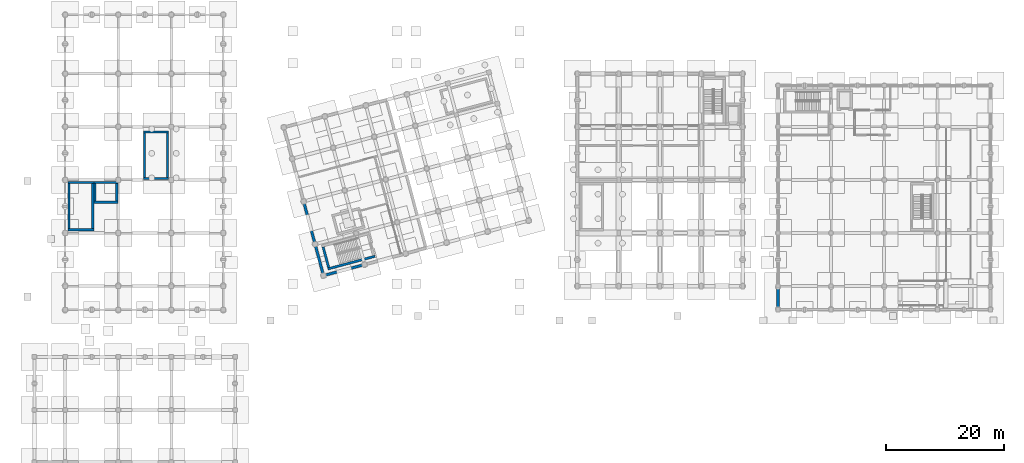
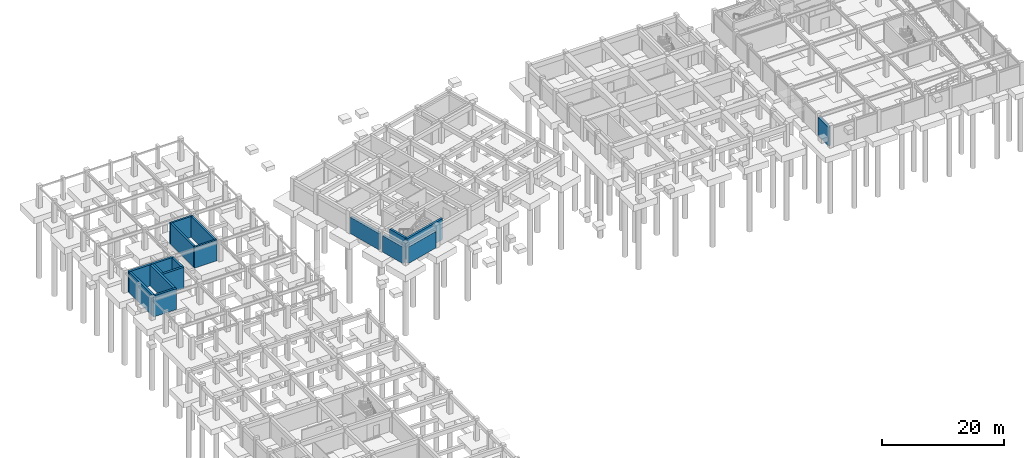
# One storey, part 12 of 20: 18 walls.
"""IFC4 building model written with IfcOpenShell, lengths in metres."""

from ifc_helpers import new_model, si_unit, direction, frame, frame_2d, origin, place, context, subcontext, project, spatial, rectangle, extrude, material, layer, layer_set, type_object, element, save


model = new_model("IFC4")

# Units and contexts
model_context = context("Model", 3, precision=1e-05, world=origin(), true_north=direction((0.0, 1.0)))
body_context = subcontext(model_context, "Body", "Model", "MODEL_VIEW")
ifc_project = project(units=[si_unit("LENGTHUNIT", "METRE"), si_unit("AREAUNIT", "SQUARE_METRE"), si_unit("VOLUMEUNIT", "CUBIC_METRE"), si_unit("PLANEANGLEUNIT", "RADIAN"), si_unit("MASSUNIT", "GRAM", prefix="KILO")], contexts=[model_context])

# Site, building, storey
site_placement = place(None, origin())
site = spatial("IfcSite", under=ifc_project, at=site_placement, CompositionType="ELEMENT")
building_placement = place(site_placement, origin())
building = spatial("IfcBuilding", under=site, at=building_placement, Name="Ventoquebrada Cableway Terminal", CompositionType="ELEMENT")
storey_placement = place(building_placement, frame((0.0, 0.0, -4.5)))
storey = spatial("IfcBuildingStorey", under=building, at=storey_placement, Name="B1", CompositionType="ELEMENT", Elevation=-4.5)

# Walls
ifc_material_1 = material(Name="Concrete C40/50", Category="concrete")
ifc_layer_1 = layer(ifc_material_1, 0.39990234375)
ifc_layer_set_1 = layer_set([ifc_layer_1], Name="Concrete C40/50")
wall_type_1 = type_object("IfcWallType", Name="WL-CR1", PredefinedType="SHEAR", material=ifc_layer_set_1)
wall_1_placement = place(storey_placement, frame((8.64990234375, 77.550048828125, 0.0), z_axis=(0.0, 0.0, 1.0), x_axis=(1.0, 0.0, 0.0)))
element("IfcWall", 1, at=wall_1_placement, inside=storey, type_object=wall_type_1, Name="Core shear wall IW-0041", PredefinedType="SHEAR", context=body_context, shape_type="SweptSolid", body=[
    extrude(rectangle(XDim=4.400146484375, YDim=0.39990234375, at=frame_2d((2.2001953125, 0.0))), origin(), (0.0, 0.0, 1.0), 4.18994140625),
])
wall_2_placement = place(storey_placement, frame((12.85009765625, 77.75, 0.0), z_axis=(0.0, 0.0, 1.0), x_axis=(0.0, 1.0, 0.0)))
element("IfcWall", 2, at=wall_2_placement, inside=storey, type_object=wall_type_1, Name="Core shear wall IW-0042", PredefinedType="SHEAR", context=body_context, shape_type="SweptSolid", body=[
    extrude(rectangle(XDim=7.60009765625, YDim=0.39990234375, at=frame_2d((3.800048828125, 0.0))), origin(), (0.0, 0.0, 1.0), 4.18994140625),
])
wall_3_placement = place(storey_placement, frame((13.050048828125, 85.550048828125, 0.0), z_axis=(0.0, 0.0, 1.0), x_axis=(-1.0, 0.0, 0.0)))
element("IfcWall", 3, at=wall_3_placement, inside=storey, type_object=wall_type_1, Name="Core shear wall IW-0043", PredefinedType="SHEAR", context=body_context, shape_type="SweptSolid", body=[
    extrude(rectangle(XDim=4.400146484375, YDim=0.39990234375, at=frame_2d((2.2001953125, 0.0))), origin(), (0.0, 0.0, 1.0), 4.18994140625),
])
wall_4_placement = place(storey_placement, frame((8.85009765625, 85.35009765625, 0.0), z_axis=(0.0, 0.0, 1.0), x_axis=(0.0, -1.0, 0.0)))
element("IfcWall", 4, at=wall_4_placement, inside=storey, type_object=wall_type_1, Name="Core shear wall IW-0044", PredefinedType="SHEAR", context=body_context, shape_type="SweptSolid", body=[
    extrude(rectangle(XDim=7.60009765625, YDim=0.39990234375, at=frame_2d((3.800048828125, 0.0))), origin(), (0.0, 0.0, 1.0), 4.18994140625),
])
wall_5_placement = place(storey_placement, frame((13.050048828125, 82.199951171875, 0.0), z_axis=(0.0, 0.0, 1.0), x_axis=(1.0, 0.0, 0.0)))
element("IfcWall", 5, at=wall_5_placement, inside=storey, type_object=wall_type_1, Name="Core shear wall IW-0045", PredefinedType="SHEAR", context=body_context, shape_type="SweptSolid", body=[
    extrude(rectangle(XDim=4.099853515625, YDim=0.39990234375, at=frame_2d((2.0498046875, 0.0))), origin(), (0.0, 0.0, 1.0), 4.18994140625),
])
wall_6_placement = place(storey_placement, frame((16.949951171875, 82.39990234375, 0.0), z_axis=(0.0, 0.0, 1.0), x_axis=(0.0, 1.0, 0.0)))
element("IfcWall", 6, at=wall_6_placement, inside=storey, type_object=wall_type_1, Name="Core shear wall IW-0046", PredefinedType="SHEAR", context=body_context, shape_type="SweptSolid", body=[
    extrude(rectangle(XDim=2.9501953125, YDim=0.39990234375, at=frame_2d((1.47509765625, 0.0))), origin(), (0.0, 0.0, 1.0), 4.18994140625),
])
wall_7_placement = place(storey_placement, frame((17.14990234375, 85.550048828125, 0.0), z_axis=(0.0, 0.0, 1.0), x_axis=(-1.0, 0.0, 0.0)))
element("IfcWall", 7, at=wall_7_placement, inside=storey, type_object=wall_type_1, Name="Core shear wall IW-0047", PredefinedType="SHEAR", context=body_context, shape_type="SweptSolid", body=[
    extrude(rectangle(XDim=4.099853515625, YDim=0.39990234375, at=frame_2d((2.0498046875, 0.0))), origin(), (0.0, 0.0, 1.0), 4.18994140625),
])
wall_8_placement = place(storey_placement, frame((13.25, 85.35009765625, 0.0), z_axis=(0.0, 0.0, 1.0), x_axis=(0.0, -1.0, 0.0)))
element("IfcWall", 8, at=wall_8_placement, inside=storey, type_object=wall_type_1, Name="Core shear wall IW-0048", PredefinedType="SHEAR", context=body_context, shape_type="SweptSolid", body=[
    extrude(rectangle(XDim=2.9501953125, YDim=0.39990234375, at=frame_2d((1.47509765625, 0.0))), origin(), (0.0, 0.0, 1.0), 4.18994140625),
])
wall_9_placement = place(storey_placement, frame((52.7109375, 70.912109375, 0.0), z_axis=(0.0, 0.0, 1.0), x_axis=(0.965903141159, 0.258903692322, 0.0)))
element("IfcWall", 9, at=wall_9_placement, inside=storey, type_object=wall_type_1, Name="Core shear wall IW-0089", PredefinedType="SHEAR", context=body_context, shape_type="SweptSolid", body=[
    extrude(rectangle(XDim=8.300048828125, YDim=0.39990234375, at=frame_2d((4.14990234375, 0.0))), origin(), (0.0, 0.0, 1.0), 4.18994140625),
])
wall_10_placement = place(storey_placement, frame((51.9208984375, 74.635009765625, 0.0), z_axis=(0.0, 0.0, 1.0), x_axis=(0.258616326312, -0.965980121827, 0.0)))
element("IfcWall", 10, at=wall_10_placement, inside=storey, type_object=wall_type_1, Name="Core shear wall IW-0092", PredefinedType="SHEAR", context=body_context, shape_type="SweptSolid", body=[
    extrude(rectangle(XDim=3.6005859375, YDim=0.39990234375, at=frame_2d((1.80029296875, 0.0))), origin(), (0.0, 0.0, 1.0), 4.18994140625),
])
ifc_material_2 = material(Name="Concrete C45/55", Category="concrete")
ifc_layer_2 = layer(ifc_material_2, 0.449951171875)
ifc_layer_set_2 = layer_set([ifc_layer_2], Name="Concrete C45/55")
wall_type_2 = type_object("IfcWallType", Name="WL-RT1", PredefinedType="USERDEFINED", material=ifc_layer_set_2)
wall_11_placement = place(storey_placement, frame((129.0, 67.655029296875, 0.0), z_axis=(0.0, 0.0, 1.0), x_axis=(0.0, -1.0, 0.0)))
element("IfcWall", 11, at=wall_11_placement, inside=storey, type_object=wall_type_2, Name="Perimeter basement retaining wall EW-0062", ObjectType="RETAINING WALL", PredefinedType="USERDEFINED", context=body_context, shape_type="SweptSolid", body=[
    extrude(rectangle(XDim=3.31005859375, YDim=0.449951171875, at=frame_2d((1.655029296875, 0.0))), origin(), (0.0, 0.0, 1.0), 3.77490234375),
])
wall_12_placement = place(storey_placement, frame((52.360107421875, 69.885986328125, 0.0), z_axis=(0.0, 0.0, 1.0), x_axis=(0.965932752026, 0.258793196515, 0.0)))
element("IfcWall", 12, at=wall_12_placement, inside=storey, type_object=wall_type_2, Name="Perimeter basement retaining wall EW-0063", ObjectType="RETAINING WALL", PredefinedType="USERDEFINED", context=body_context, shape_type="SweptSolid", body=[
    extrude(rectangle(XDim=6.41015625, YDim=0.449951171875, at=frame_2d((3.205078125, 0.0))), origin(), (0.0, 0.0, 1.0), 3.294921875),
])
wall_13_placement = place(storey_placement, frame((48.716064453125, 81.9599609375, 0.0), z_axis=(0.0, 0.0, 1.0), x_axis=(0.258717896647, -0.96595292326, 0.0)))
element("IfcWall", 13, at=wall_13_placement, inside=storey, type_object=wall_type_2, Name="Perimeter basement retaining wall EW-0072", ObjectType="RETAINING WALL", PredefinedType="USERDEFINED", context=body_context, shape_type="SweptSolid", body=[
    extrude(rectangle(XDim=6.70947265625, YDim=0.449951171875, at=frame_2d((3.354736328125, 0.0))), origin(), (0.0, 0.0, 1.0), 3.294921875),
])
wall_14_placement = place(storey_placement, frame((50.656982421875, 74.716064453125, 0.0), z_axis=(0.0, 0.0, 1.0), x_axis=(0.258781853535, -0.965935790972, 0.0)))
element("IfcWall", 14, at=wall_14_placement, inside=storey, type_object=wall_type_2, Name="Perimeter basement retaining wall EW-0073", ObjectType="RETAINING WALL", PredefinedType="USERDEFINED", context=body_context, shape_type="SweptSolid", body=[
    extrude(rectangle(XDim=4.71044921875, YDim=0.449951171875, at=frame_2d((2.355224609375, 0.0))), origin(), (0.0, 0.0, 1.0), 3.294921875),
])
ifc_layer_3 = layer(ifc_material_1, 0.35009765625)
ifc_layer_set_3 = layer_set([ifc_layer_3], Name="Concrete C40/50")
wall_type_3 = type_object("IfcWallType", Name="WL-SH1", PredefinedType="SHEAR", material=ifc_layer_set_3)
wall_15_placement = place(storey_placement, frame((21.47509765625, 86.25, 0.0), z_axis=(0.0, 0.0, 1.0), x_axis=(1.0, 0.0, 0.0)))
element("IfcWall", 15, at=wall_15_placement, inside=storey, type_object=wall_type_3, Name="Core shear wall IW-0205", PredefinedType="SHEAR", context=body_context, shape_type="SweptSolid", body=[
    extrude(rectangle(XDim=4.25, YDim=0.35009765625, at=frame_2d((2.125, 0.0))), origin(), (0.0, 0.0, 1.0), 4.18994140625),
])
wall_16_placement = place(storey_placement, frame((25.550048828125, 86.425048828125, 0.0), z_axis=(0.0, 0.0, 1.0), x_axis=(0.0, 1.0, 0.0)))
element("IfcWall", 16, at=wall_16_placement, inside=storey, type_object=wall_type_3, Name="Core shear wall IW-0206", PredefinedType="SHEAR", context=body_context, shape_type="SweptSolid", body=[
    extrude(rectangle(XDim=7.550048828125, YDim=0.35009765625, at=frame_2d((3.77490234375, 0.0))), origin(), (0.0, 0.0, 1.0), 4.18994140625),
])
wall_17_placement = place(storey_placement, frame((25.72509765625, 94.14990234375, 0.0), z_axis=(0.0, 0.0, 1.0), x_axis=(-1.0, 0.0, 0.0)))
element("IfcWall", 17, at=wall_17_placement, inside=storey, type_object=wall_type_3, Name="Core shear wall IW-0207", PredefinedType="SHEAR", context=body_context, shape_type="SweptSolid", body=[
    extrude(rectangle(XDim=4.25, YDim=0.35009765625, at=frame_2d((2.125, 0.0))), origin(), (0.0, 0.0, 1.0), 4.18994140625),
])
wall_18_placement = place(storey_placement, frame((21.64990234375, 93.97509765625, 0.0), z_axis=(0.0, 0.0, 1.0), x_axis=(0.0, -1.0, 0.0)))
element("IfcWall", 18, at=wall_18_placement, inside=storey, type_object=wall_type_3, Name="Core shear wall IW-0208", PredefinedType="SHEAR", context=body_context, shape_type="SweptSolid", body=[
    extrude(rectangle(XDim=7.550048828125, YDim=0.35009765625, at=frame_2d((3.77490234375, 0.0))), origin(), (0.0, 0.0, 1.0), 4.18994140625),
])

save(model, "model.ifc")
